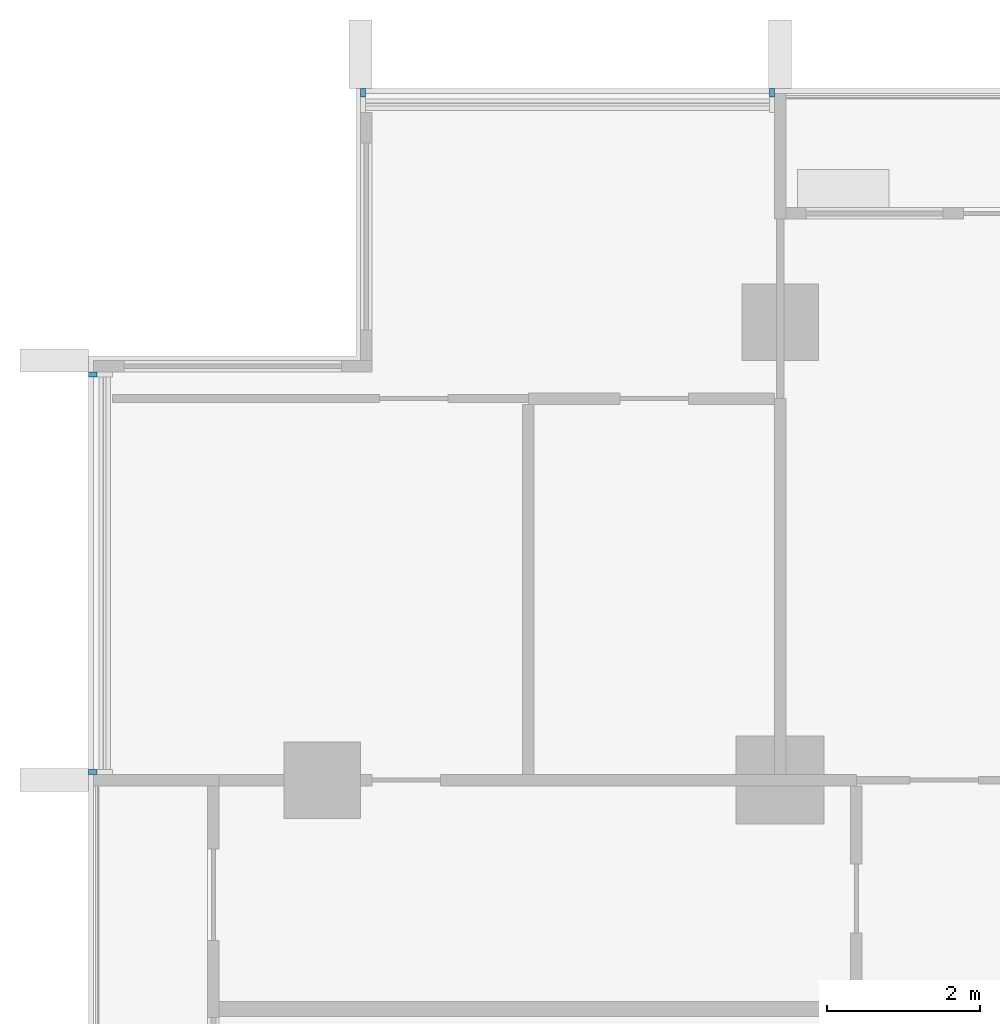
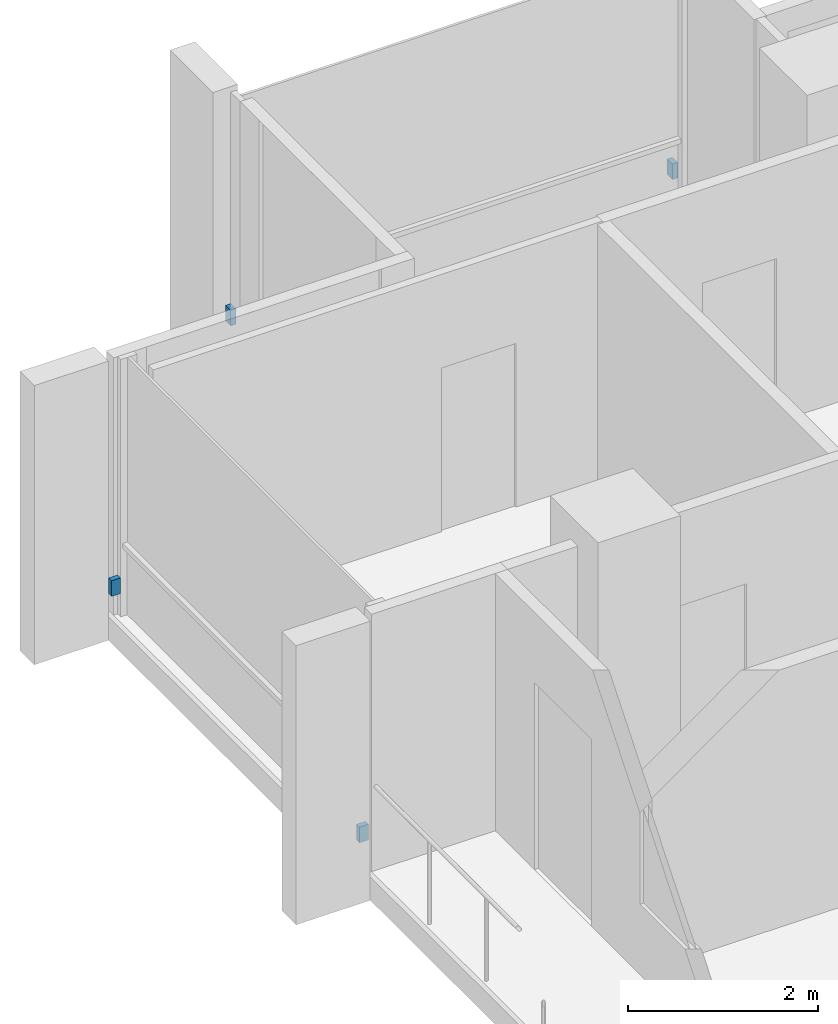
# One storey, part 16 of 18: 4 discrete accessories.
"""IFC4 building model written with IfcOpenShell, lengths in metres."""

from ifc_helpers import new_model, si_unit, direction, frame, origin, origin_2d, place, context, subcontext, project, spatial, rectangle, extrude, material, type_object, element, save


model = new_model("IFC4")

# Units and contexts
model_context = context("Model", 3, precision=1e-05, world=origin(), true_north=direction((0.0, 1.0)))
body_context = subcontext(model_context, "Body", "Model", "MODEL_VIEW")
ifc_project = project(units=[si_unit("LENGTHUNIT", "METRE"), si_unit("AREAUNIT", "SQUARE_METRE"), si_unit("VOLUMEUNIT", "CUBIC_METRE"), si_unit("PLANEANGLEUNIT", "RADIAN"), si_unit("MASSUNIT", "GRAM", prefix="KILO")], contexts=[model_context])

# Site, building, storey
site_placement = place(None, origin())
site = spatial("IfcSite", under=ifc_project, at=site_placement, CompositionType="ELEMENT")
building_placement = place(site_placement, origin())
building = spatial("IfcBuilding", under=site, at=building_placement, Name="Finial Court Residences", CompositionType="ELEMENT")
storey_placement = place(building_placement, frame((0.0, 0.0, 109.89990234375)))
storey = spatial("IfcBuildingStorey", under=building, at=storey_placement, Name="L27", CompositionType="ELEMENT", Elevation=109.89990234375)

# Discrete accessories
ifc_material = material(Name="Stainless steel 316", Category="steel")
discrete_accessory_type = type_object("IfcDiscreteAccessoryType", Name="Fin bracket, stainless steel 65 x 110 x 200", PredefinedType="BRACKET", material=ifc_material)
for number, where, z_axis, x_axis, name in (
    (1, (-21.967529296875, 22.5048828125, 0.30029296875), (0.0, 0.0, 1.0), (1.0, 0.0, 0.0), "E-L27-FIN-N1-BRK"),
    (2, (-16.607421875, 22.5048828125, 0.30029296875), (0.0, 0.0, 1.0), (1.0, 0.0, 0.0), "E-L27-FIN-N2-BRK"),
):
    element("IfcDiscreteAccessory", number, at=place(storey_placement, frame(where, z_axis=z_axis, x_axis=x_axis)), inside=storey, type_object=discrete_accessory_type, Name=name, PredefinedType="BRACKET", context=body_context, shape_type="SweptSolid", body=[
        extrude(rectangle(XDim=0.06494140625, YDim=0.110107421875, at=origin_2d()), origin(), (0.0, 0.0, 1.0), 0.199951171875),
    ])
for number, where, z_axis, x_axis, name in (
    (3, (-25.5048828125, 13.607421875, 0.30029296875), (0.0, 0.0, 1.0), (1.0, 0.0, 0.0), "E-L27-FIN-W31-BRK"),
    (4, (-25.5048828125, 18.8173828125, 0.30029296875), (0.0, 0.0, 1.0), (1.0, 0.0, 0.0), "E-L27-FIN-W32-BRK"),
):
    element("IfcDiscreteAccessory", number, at=place(storey_placement, frame(where, z_axis=z_axis, x_axis=x_axis)), inside=storey, type_object=discrete_accessory_type, Name=name, PredefinedType="BRACKET", context=body_context, shape_type="SweptSolid", body=[
        extrude(rectangle(XDim=0.110107421875, YDim=0.06494140625, at=origin_2d()), origin(), (0.0, 0.0, 1.0), 0.199951171875),
    ])

save(model, "model.ifc")
